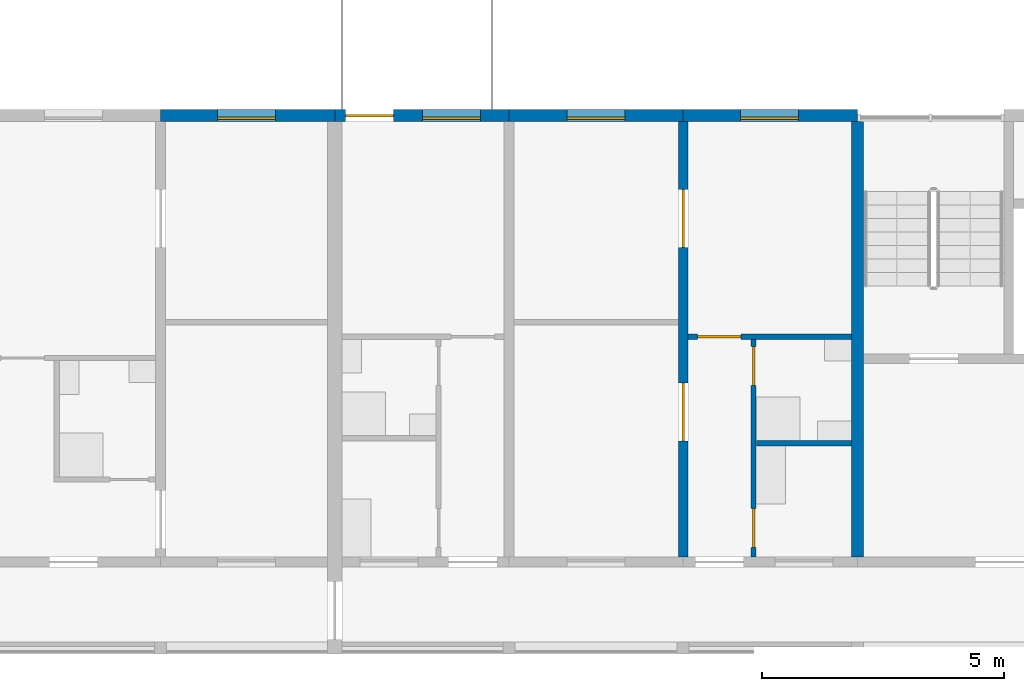
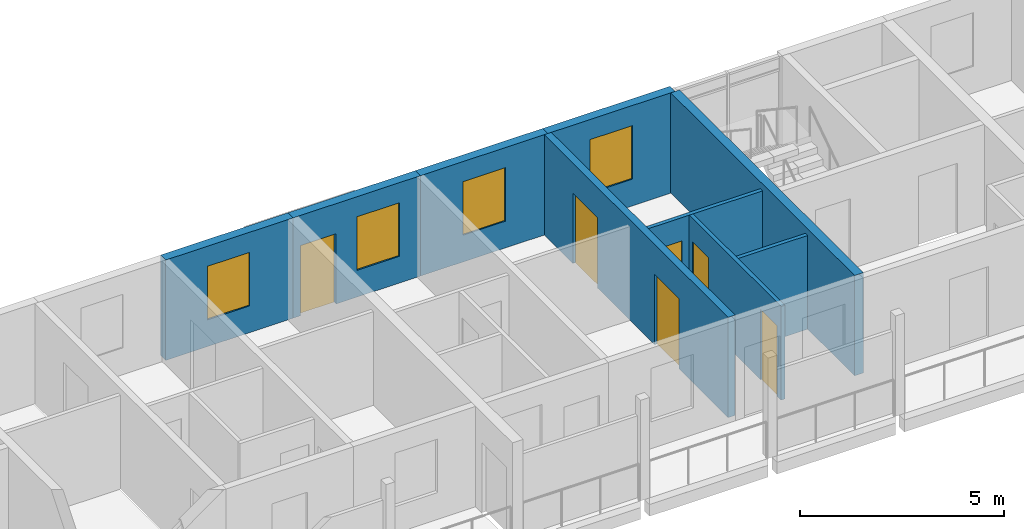
# One storey, part 33 of 94: 9 walls, 6 doors, 4 windows, 10 openings.
"""IFC4 building model written with IfcOpenShell, lengths in metres."""

import ifcopenshell
import ifcopenshell.guid

model = None  # the IFC model being written
_history = None  # IfcOwnerHistory: only IFC2X3 demands one
_inside = {}  # id of a spatial element -> (the spatial element, [elements in it])
_under = {}  # id of a project, library or spatial element -> (it, [spatial elements below it])
_declared = {}  # id of a project -> (the project, [libraries it declares])
_typed = {}  # id of a type object -> (the type object, [elements of that type])
_made_of = {}  # id of a material, layer set ... -> (it, [elements and type objects made of it])


def new_model(schema):
    """Start an empty IFC model of exactly this schema.

    Asked for "IFC4X3", IfcOpenShell would pick the latest addendum, in which some entities
    have other attributes; the version numbers below select the first issue.
    IFC2X3 requires an IfcOwnerHistory on every rooted entity: one is made here for all.
    """
    global model, _history
    if schema == "IFC4X3":
        model = ifcopenshell.file(schema_version=(4, 3, 0, 0))
    else:
        model = ifcopenshell.file(schema=schema)
    _inside.clear()
    _under.clear()
    _declared.clear()
    _typed.clear()
    _made_of.clear()
    _history = None
    if model.schema == "IFC2X3":
        org = make("IfcOrganization", Name="unknown")
        user = make(
            "IfcPersonAndOrganization",
            ThePerson=make("IfcPerson", FamilyName="unknown"),
            TheOrganization=org,
        )
        app = make(
            "IfcApplication",
            ApplicationDeveloper=org,
            Version="unknown",
            ApplicationFullName="unknown",
            ApplicationIdentifier="unknown",
        )
        _history = make(
            "IfcOwnerHistory",
            OwningUser=user,
            OwningApplication=app,
            ChangeAction="ADDED",
            CreationDate=0,
        )
    return model


def make(cls, **values):
    """One entity of the class cls with the attributes given. An attribute that is None is left unset."""
    return model.create_entity(
        cls, **{name: value for name, value in values.items() if value is not None}
    )


def rooted(cls, **values):
    """An entity with a GlobalId (a new one), such as an element, a storey or a relation."""
    return make(cls, GlobalId=ifcopenshell.guid.new(), OwnerHistory=_history, **values)


def si_unit(unit_type, name, prefix=None):
    """IfcSIUnit, for example si_unit("LENGTHUNIT", "METRE", prefix="MILLI")."""
    return make("IfcSIUnit", UnitType=unit_type, Prefix=prefix, Name=name)


def assignment(units):
    """IfcUnitAssignment: the units of a project."""
    return None if units is None else make("IfcUnitAssignment", Units=units)


def point(xyz):
    """IfcCartesianPoint."""
    return None if xyz is None else make("IfcCartesianPoint", Coordinates=xyz)


def direction(xyz):
    """IfcDirection."""
    return None if xyz is None else make("IfcDirection", DirectionRatios=xyz)


def frame(location, z_axis=None, x_axis=None):
    """IfcAxis2Placement3D, a coordinate frame: its origin and axes. An axis left out is left unset."""
    return make(
        "IfcAxis2Placement3D",
        Location=point(location),
        Axis=direction(z_axis),
        RefDirection=direction(x_axis),
    )


def frame_2d(location, x_axis=None):
    """IfcAxis2Placement2D, a coordinate frame in the plane: its origin and x axis."""
    return make(
        "IfcAxis2Placement2D", Location=point(location), RefDirection=direction(x_axis)
    )


def origin():
    """The frame at (0, 0, 0) with its axes left unset."""
    return frame((0.0, 0.0, 0.0))


def place(relative_to, where):
    """IfcLocalPlacement: puts the frame where relative to a parent placement (None: the world)."""
    return make(
        "IfcLocalPlacement", PlacementRelTo=relative_to, RelativePlacement=where
    )


def context(
    kind, dimensions, precision=None, world=None, true_north=None, identifier=None
):
    """IfcGeometricRepresentationContext, for example the 3D "Model" context."""
    return make(
        "IfcGeometricRepresentationContext",
        ContextIdentifier=identifier,
        ContextType=kind,
        CoordinateSpaceDimension=dimensions,
        Precision=precision,
        WorldCoordinateSystem=world,
        TrueNorth=true_north,
    )


def subcontext(parent, identifier, kind, view, scale=None):
    """IfcGeometricRepresentationSubContext, for example "Body" below "Model"."""
    return make(
        "IfcGeometricRepresentationSubContext",
        ContextIdentifier=identifier,
        ContextType=kind,
        ParentContext=parent,
        TargetScale=scale,
        TargetView=view,
    )


def project(units=None, contexts=None):
    """IfcProject with its units and contexts."""
    return rooted(
        "IfcProject",
        Name="project",
        RepresentationContexts=contexts,
        UnitsInContext=assignment(units),
    )


def spatial(cls, under=None, at=None, **own):
    """A site, building, storey or space (cls), placed at a placement, below another one or the project."""
    s = rooted(cls, ObjectPlacement=at, **own)
    if under is not None:
        _under.setdefault(under.id(), (under, []))[1].append(s)
    return s


def profile(cls, at=None, kind="AREA", **sizes):
    """A parametric profile (cls). Its sizes go by their IFC names, for example OverallWidth=200.0."""
    return make(cls, ProfileType=kind, Position=at, **sizes)


def rectangle(**sizes):
    """IfcRectangleProfileDef."""
    return profile("IfcRectangleProfileDef", **sizes)


def extrude(swept, where, along, depth):
    """IfcExtrudedAreaSolid: the profile swept, set in the frame where, extruded along a direction by depth."""
    return make(
        "IfcExtrudedAreaSolid",
        SweptArea=swept,
        Position=where,
        ExtrudedDirection=direction(along),
        Depth=depth,
    )


def shape(context_of_items, identifier, shape_type, items):
    """IfcShapeRepresentation: the items that make up one representation, for example the "Body"."""
    return make(
        "IfcShapeRepresentation",
        ContextOfItems=context_of_items,
        RepresentationIdentifier=identifier,
        RepresentationType=shape_type,
        Items=items,
    )


def material(Name=None, Category=None):
    """IfcMaterial."""
    return make("IfcMaterial", Name=Name, Category=Category)


def layer(
    of_material, thickness, ventilated=None, Name=None, Category=None, Priority=None
):
    """IfcMaterialLayer: one layer of a wall or slab, of a material (None: an air gap)."""
    return make(
        "IfcMaterialLayer",
        Material=of_material,
        LayerThickness=thickness,
        IsVentilated=ventilated,
        Name=Name,
        Category=Category,
        Priority=Priority,
    )


def layer_set(layers, Name=None):
    """IfcMaterialLayerSet."""
    return make("IfcMaterialLayerSet", MaterialLayers=layers, LayerSetName=Name)


def made_of(thing, what):
    """Note that an element or type object is made of a material, layer set ...; save() writes the relation."""
    if what is not None:
        _made_of.setdefault(what.id(), (what, []))[1].append(thing)
    return thing


def type_object(cls, material=None, **own):
    """A type object (cls), such as IfcWallType, which elements share."""
    return made_of(rooted(cls, **own), material)


def element(
    cls,
    number,
    at=None,
    inside=None,
    cuts=None,
    type_object=None,
    material=None,
    context=None,
    identifier="Body",
    shape_type=None,
    held_by="IfcProductDefinitionShape",
    body=None,
    shapes=None,
    **own,
):
    """One element of the class cls, such as IfcWall. Its Tag is "e" and its number.

    at: its placement. inside: the storey or other place that contains it. cuts: it is an
    opening in that element (IfcRelVoidsElement). A single representation is given by context,
    identifier, shape_type and body (its items); several are given by shapes. held_by: the class
    of the entity that holds the representations. save() writes the other relations.
    """
    e = rooted(cls, Tag="e%d" % number, ObjectPlacement=at, **own)
    if body is not None:
        shapes = [shape(context, identifier, shape_type, body)]
    if shapes is not None:
        e.Representation = make(held_by, Representations=shapes)
    if inside is not None:
        _inside.setdefault(inside.id(), (inside, []))[1].append(e)
    if cuts is not None:
        rooted(
            "IfcRelVoidsElement", RelatingBuildingElement=cuts, RelatedOpeningElement=e
        )
    if type_object is not None:
        _typed.setdefault(type_object.id(), (type_object, []))[1].append(e)
    return made_of(e, material)


def fill(opening, filler):
    """IfcRelFillsElement: the door or window that sits in an opening."""
    return rooted(
        "IfcRelFillsElement",
        RelatingOpeningElement=opening,
        RelatedBuildingElement=filler,
    )


def aggregate(whole, parts):
    """IfcRelAggregates: a whole, such as a stair, and the parts it consists of."""
    return rooted("IfcRelAggregates", RelatingObject=whole, RelatedObjects=parts)


def save(model, path):
    """Write the relations noted so far, then the file.

    IfcRelAggregates (storeys below a building ...), IfcRelContainedInSpatialStructure (elements
    in a storey), IfcRelDefinesByType, IfcRelAssociatesMaterial and IfcRelDeclares: one each for
    every whole, place, type object, material and project.
    """
    for whole, parts in _under.values():
        aggregate(whole, parts)
    for where, things in _inside.values():
        rooted(
            "IfcRelContainedInSpatialStructure",
            RelatedElements=things,
            RelatingStructure=where,
        )
    for kind, things in _typed.values():
        rooted("IfcRelDefinesByType", RelatedObjects=things, RelatingType=kind)
    for what, things in _made_of.values():
        rooted("IfcRelAssociatesMaterial", RelatedObjects=things, RelatingMaterial=what)
    for by, libraries in _declared.values():
        rooted("IfcRelDeclares", RelatingContext=by, RelatedDefinitions=libraries)
    model.write(path)


model = new_model("IFC4")

# Units and contexts
model_context = context("Model", 3, precision=1e-05, world=origin(), true_north=direction((0.0, 1.0)))
body_context = subcontext(model_context, "Body", "Model", "MODEL_VIEW")
ifc_project = project(units=[si_unit("LENGTHUNIT", "METRE"), si_unit("AREAUNIT", "SQUARE_METRE"), si_unit("VOLUMEUNIT", "CUBIC_METRE"), si_unit("PLANEANGLEUNIT", "RADIAN"), si_unit("MASSUNIT", "GRAM", prefix="KILO")], contexts=[model_context])

# Site, building, storey
site_placement = place(None, origin())
site = spatial("IfcSite", under=ifc_project, at=site_placement, CompositionType="ELEMENT")
building_placement = place(site_placement, origin())
building = spatial("IfcBuilding", under=site, at=building_placement, Name="Ridgestep Commons", CompositionType="ELEMENT")
storey_placement = place(building_placement, frame((0.0, 0.0, 21.0)))
storey = spatial("IfcBuildingStorey", under=building, at=storey_placement, Name="L07", CompositionType="ELEMENT", Elevation=21.0)

# Wall
ifc_material_1 = material(Name="Concrete C30/37", Category="concrete")
ifc_layer_1 = layer(ifc_material_1, 0.25)
ifc_layer_set_1 = layer_set([ifc_layer_1], Name="Core cross wall 250")
wall_type_1 = type_object("IfcWallType", Name="Core cross wall 250", PredefinedType="SHEAR", material=ifc_layer_set_1)
wall_1_placement = place(storey_placement, frame((73.199951171875, 13.75, 0.0), z_axis=(0.0, 0.0, 1.0), x_axis=(0.0, 1.0, 0.0)))
element("IfcWall", 1, at=wall_1_placement, inside=storey, type_object=wall_type_1, Name="Cross wall A-07-0732", PredefinedType="SHEAR", context=body_context, shape_type="SweptSolid", body=[
    extrude(rectangle(XDim=9.0, YDim=0.25, at=frame_2d((4.5, 0.0))), origin(), (0.0, 0.0, 1.0), 3.0),
])

# Wall, openings, doors
ifc_material_2 = material(Name="Precast concrete C40/50", Category="concrete")
ifc_layer_2 = layer(ifc_material_2, 0.199951171875)
ifc_layer_set_2 = layer_set([ifc_layer_2], Name="Cross wall 200")
wall_type_2 = type_object("IfcWallType", Name="Cross wall 200", PredefinedType="SHEAR", material=ifc_layer_set_2)
wall_2_placement = place(storey_placement, frame((69.60009765625, 13.75, 0.0), z_axis=(0.0, 0.0, 1.0), x_axis=(0.0, 1.0, 0.0)))
wall_2 = element("IfcWall", 2, at=wall_2_placement, inside=storey, type_object=wall_type_2, Name="Cross wall A-07-0696", PredefinedType="SHEAR", context=body_context, shape_type="SweptSolid", body=[
    extrude(rectangle(XDim=9.0, YDim=0.199951171875, at=frame_2d((4.5, 0.0))), origin(), (0.0, 0.0, 1.0), 3.0),
])
opening_1_placement = place(wall_2_placement, frame((2.39990234375, 0.0, 0.0)))
opening_1 = element("IfcOpeningElement", 3, at=opening_1_placement, cuts=wall_2, Name="Opening A4-07b/5", PredefinedType="OPENING", context=body_context, shape_type="SweptSolid", body=[
    extrude(rectangle(XDim=1.199951171875, YDim=2.10009765625, at=frame_2d((0.60009765625, 1.050048828125))), frame((0.0, 0.10986328125, 0.0), z_axis=(0.0, -1.0, 0.0), x_axis=(1.0, 0.0, 0.0)), (0.0, 0.0, 1.0), 0.219970703125),
])
opening_2_placement = place(wall_2_placement, frame((6.39990234375, 0.0, 0.0)))
opening_2 = element("IfcOpeningElement", 4, at=opening_2_placement, cuts=wall_2, Name="Opening A4-07b/6", PredefinedType="OPENING", context=body_context, shape_type="SweptSolid", body=[
    extrude(rectangle(XDim=1.199951171875, YDim=2.10009765625, at=frame_2d((0.60009765625, 1.050048828125))), frame((0.0, 0.10986328125, 0.0), z_axis=(0.0, -1.0, 0.0), x_axis=(1.0, 0.0, 0.0)), (0.0, 0.0, 1.0), 0.219970703125),
])
ifc_material_3 = material(Name="Timber door leaf", Category="wood")
door_type_1 = type_object("IfcDoorType", Name="Double door 1200 x 2100", OperationType="DOUBLE_DOOR_SINGLE_SWING", PredefinedType="DOOR", material=ifc_material_3)
door_1_placement = place(opening_1_placement, origin())
door_1 = element("IfcDoor", 5, at=door_1_placement, inside=storey, type_object=door_type_1, Name="Double door A4-07b/5", OperationType="DOUBLE_DOOR_SINGLE_SWING", OverallHeight=2.10009765625, OverallWidth=1.199951171875, PredefinedType="DOOR", context=body_context, shape_type="SweptSolid", body=[
    extrude(rectangle(XDim=1.199951171875, YDim=2.10009765625, at=frame_2d((0.60009765625, 1.050048828125))), frame((0.0, 0.02490234375, 0.0), z_axis=(0.0, -1.0, 0.0), x_axis=(1.0, 0.0, 0.0)), (0.0, 0.0, 1.0), 0.050048828125),
])
fill(opening_1, door_1)
door_2_placement = place(opening_2_placement, origin())
door_2 = element("IfcDoor", 6, at=door_2_placement, inside=storey, type_object=door_type_1, Name="Double door A4-07b/6", OperationType="DOUBLE_DOOR_SINGLE_SWING", OverallHeight=2.10009765625, OverallWidth=1.199951171875, PredefinedType="DOOR", context=body_context, shape_type="SweptSolid", body=[
    extrude(rectangle(XDim=1.199951171875, YDim=2.10009765625, at=frame_2d((0.60009765625, 1.050048828125))), frame((0.0, 0.02490234375, 0.0), z_axis=(0.0, -1.0, 0.0), x_axis=(1.0, 0.0, 0.0)), (0.0, 0.0, 1.0), 0.050048828125),
])
fill(opening_2, door_2)

# Wall, opening, window
ifc_material_4 = material(Name="Precast concrete C40/50", Category="concrete")
ifc_layer_3 = layer(ifc_material_4, 0.25)
ifc_layer_set_3 = layer_set([ifc_layer_3], Name="North facade panel 250")
wall_type_3 = type_object("IfcWallType", Name="North facade panel 250", PredefinedType="SOLIDWALL", material=ifc_layer_set_3)
wall_3_placement = place(storey_placement, frame((58.800048828125, 22.875, 0.0), z_axis=(0.0, 0.0, 1.0), x_axis=(1.0, 0.0, 0.0)))
wall_3 = element("IfcWall", 7, at=wall_3_placement, inside=storey, type_object=wall_type_3, Name="North panel A3T1 L07", PredefinedType="SOLIDWALL", context=body_context, shape_type="SweptSolid", body=[
    extrude(rectangle(XDim=3.599853515625, YDim=0.25, at=frame_2d((1.7998046875, 0.0))), origin(), (0.0, 0.0, 1.0), 3.0),
])
opening_3_placement = place(wall_3_placement, frame((1.175048828125, 0.0, 0.800048828125)))
opening_3 = element("IfcOpeningElement", 8, at=opening_3_placement, cuts=wall_3, Name="Opening W11", PredefinedType="OPENING", context=body_context, shape_type="SweptSolid", body=[
    extrude(rectangle(XDim=1.199951171875, YDim=1.60009765625, at=frame_2d((0.60009765625, 0.800048828125))), frame((0.0, 0.135009765625, 0.0), z_axis=(0.0, -1.0, 0.0), x_axis=(1.0, 0.0, 0.0)), (0.0, 0.0, 1.0), 0.27001953125),
])
ifc_material_5 = material(Name="Aluminium 6063-T6 and glass", Category="aluminium")
window_type = type_object("IfcWindowType", Name="Flat window 1200 x 1600", PartitioningType="SINGLE_PANEL", PredefinedType="WINDOW", material=ifc_material_5)
window_1_placement = place(opening_3_placement, origin())
window_1 = element("IfcWindow", 9, at=window_1_placement, inside=storey, type_object=window_type, Name="Window A3-07a 4", OverallHeight=1.60009765625, OverallWidth=1.199951171875, PartitioningType="SINGLE_PANEL", PredefinedType="WINDOW", context=body_context, shape_type="SweptSolid", body=[
    extrude(rectangle(XDim=1.199951171875, YDim=1.60009765625, at=frame_2d((0.60009765625, 0.800048828125))), frame((0.0, -0.02490234375, 0.0), z_axis=(0.0, -1.0, 0.0), x_axis=(1.0, 0.0, 0.0)), (0.0, 0.0, 1.0), 0.06005859375),
])
fill(opening_3, window_1)

# Wall, openings, door, window
wall_4_placement = place(storey_placement, frame((62.39990234375, 22.875, 0.0), z_axis=(0.0, 0.0, 1.0), x_axis=(1.0, 0.0, 0.0)))
wall_4 = element("IfcWall", 10, at=wall_4_placement, inside=storey, type_object=wall_type_3, Name="North panel A4T1 L07", PredefinedType="SOLIDWALL", context=body_context, shape_type="SweptSolid", body=[
    extrude(rectangle(XDim=3.60009765625, YDim=0.25, at=frame_2d((1.800048828125, 0.0))), origin(), (0.0, 0.0, 1.0), 3.0),
])
opening_4_placement = place(wall_4_placement, frame((1.80859375, 0.0, 0.800048828125)))
opening_4 = element("IfcOpeningElement", 11, at=opening_4_placement, cuts=wall_4, Name="Opening W11", PredefinedType="OPENING", context=body_context, shape_type="SweptSolid", body=[
    extrude(rectangle(XDim=1.199951171875, YDim=1.60009765625, at=frame_2d((0.60009765625, 0.800048828125))), frame((0.0, 0.135009765625, 0.0), z_axis=(0.0, -1.0, 0.0), x_axis=(1.0, 0.0, 0.0)), (0.0, 0.0, 1.0), 0.27001953125),
])
opening_5_placement = place(wall_4_placement, frame((0.217041015625, 0.0, 0.0)))
opening_5 = element("IfcOpeningElement", 12, at=opening_5_placement, cuts=wall_4, Name="Opening A4-07a/5", PredefinedType="OPENING", context=body_context, shape_type="SweptSolid", body=[
    extrude(rectangle(XDim=1.0, YDim=2.10009765625, at=frame_2d((0.5, 1.050048828125))), frame((0.0, 0.135009765625, 0.0), z_axis=(0.0, -1.0, 0.0), x_axis=(1.0, 0.0, 0.0)), (0.0, 0.0, 1.0), 0.27001953125),
])
ifc_material_6 = material(Name="Aluminium and glass", Category="aluminium")
door_type_2 = type_object("IfcDoorType", Name="Balcony door 1000 x 2100", OperationType="NOTDEFINED", PredefinedType="DOOR", material=ifc_material_6)
door_3_placement = place(opening_5_placement, origin())
door_3 = element("IfcDoor", 13, at=door_3_placement, inside=storey, type_object=door_type_2, Name="Balcony door A4-07a/5", OperationType="SINGLE_SWING_RIGHT", OverallHeight=2.10009765625, OverallWidth=1.0, PredefinedType="DOOR", context=body_context, shape_type="SweptSolid", body=[
    extrude(rectangle(XDim=1.0, YDim=2.10009765625, at=frame_2d((0.5, 1.050048828125))), frame((0.0, 0.02490234375, 0.0), z_axis=(0.0, -1.0, 0.0), x_axis=(1.0, 0.0, 0.0)), (0.0, 0.0, 1.0), 0.050048828125),
])
fill(opening_5, door_3)
window_2_placement = place(opening_4_placement, origin())
window_2 = element("IfcWindow", 14, at=window_2_placement, inside=storey, type_object=window_type, Name="Window A4-07a 2", OverallHeight=1.60009765625, OverallWidth=1.199951171875, PartitioningType="SINGLE_PANEL", PredefinedType="WINDOW", context=body_context, shape_type="SweptSolid", body=[
    extrude(rectangle(XDim=1.199951171875, YDim=1.60009765625, at=frame_2d((0.60009765625, 0.800048828125))), frame((0.0, -0.02490234375, 0.0), z_axis=(0.0, -1.0, 0.0), x_axis=(1.0, 0.0, 0.0)), (0.0, 0.0, 1.0), 0.06005859375),
])
fill(opening_4, window_2)

# Wall, opening, window
wall_5_placement = place(storey_placement, frame((66.0, 22.875, 0.0), z_axis=(0.0, 0.0, 1.0), x_axis=(1.0, 0.0, 0.0)))
wall_5 = element("IfcWall", 15, at=wall_5_placement, inside=storey, type_object=wall_type_3, Name="North panel A4T2 L07", PredefinedType="SOLIDWALL", context=body_context, shape_type="SweptSolid", body=[
    extrude(rectangle(XDim=3.60009765625, YDim=0.25, at=frame_2d((1.800048828125, 0.0))), origin(), (0.0, 0.0, 1.0), 3.0),
])
opening_6_placement = place(wall_5_placement, frame((1.199951171875, 0.0, 0.800048828125)))
opening_6 = element("IfcOpeningElement", 16, at=opening_6_placement, cuts=wall_5, Name="Opening W11", PredefinedType="OPENING", context=body_context, shape_type="SweptSolid", body=[
    extrude(rectangle(XDim=1.199951171875, YDim=1.60009765625, at=frame_2d((0.60009765625, 0.800048828125))), frame((0.0, 0.135009765625, 0.0), z_axis=(0.0, -1.0, 0.0), x_axis=(1.0, 0.0, 0.0)), (0.0, 0.0, 1.0), 0.27001953125),
])
window_3_placement = place(opening_6_placement, origin())
window_3 = element("IfcWindow", 17, at=window_3_placement, inside=storey, type_object=window_type, Name="Window A4-07b 2", OverallHeight=1.60009765625, OverallWidth=1.199951171875, PartitioningType="SINGLE_PANEL", PredefinedType="WINDOW", context=body_context, shape_type="SweptSolid", body=[
    extrude(rectangle(XDim=1.199951171875, YDim=1.60009765625, at=frame_2d((0.60009765625, 0.800048828125))), frame((0.0, -0.02490234375, 0.0), z_axis=(0.0, -1.0, 0.0), x_axis=(1.0, 0.0, 0.0)), (0.0, 0.0, 1.0), 0.06005859375),
])
fill(opening_6, window_3)

wall_6_placement = place(storey_placement, frame((69.60009765625, 22.875, 0.0), z_axis=(0.0, 0.0, 1.0), x_axis=(1.0, 0.0, 0.0)))
wall_6 = element("IfcWall", 18, at=wall_6_placement, inside=storey, type_object=wall_type_3, Name="North panel A4T3 L07", PredefinedType="SOLIDWALL", context=body_context, shape_type="SweptSolid", body=[
    extrude(rectangle(XDim=3.599853515625, YDim=0.25, at=frame_2d((1.7998046875, 0.0))), origin(), (0.0, 0.0, 1.0), 3.0),
])
opening_7_placement = place(wall_6_placement, frame((1.1875, 0.0, 0.800048828125)))
opening_7 = element("IfcOpeningElement", 19, at=opening_7_placement, cuts=wall_6, Name="Opening W11", PredefinedType="OPENING", context=body_context, shape_type="SweptSolid", body=[
    extrude(rectangle(XDim=1.199951171875, YDim=1.60009765625, at=frame_2d((0.60009765625, 0.800048828125))), frame((0.0, 0.135009765625, 0.0), z_axis=(0.0, -1.0, 0.0), x_axis=(1.0, 0.0, 0.0)), (0.0, 0.0, 1.0), 0.27001953125),
])
window_4_placement = place(opening_7_placement, origin())
window_4 = element("IfcWindow", 20, at=window_4_placement, inside=storey, type_object=window_type, Name="Window A4-07b 4", OverallHeight=1.60009765625, OverallWidth=1.199951171875, PartitioningType="SINGLE_PANEL", PredefinedType="WINDOW", context=body_context, shape_type="SweptSolid", body=[
    extrude(rectangle(XDim=1.199951171875, YDim=1.60009765625, at=frame_2d((0.60009765625, 0.800048828125))), frame((0.0, -0.02490234375, 0.0), z_axis=(0.0, -1.0, 0.0), x_axis=(1.0, 0.0, 0.0)), (0.0, 0.0, 1.0), 0.06005859375),
])
fill(opening_7, window_4)

# Wall, openings, doors
ifc_material_7 = material(Name="Common brick 110 mm", Category="masonry")
ifc_layer_4 = layer(ifc_material_7, 0.110107421875)
ifc_layer_set_4 = layer_set([ifc_layer_4], Name="Partition 110")
wall_type_4 = type_object("IfcWallType", Name="Partition 110", PredefinedType="PARTITIONING", material=ifc_layer_set_4)
wall_7_placement = place(storey_placement, frame((71.054931640625, 13.75, 0.0), z_axis=(0.0, 0.0, 1.0), x_axis=(0.0, 1.0, 0.0)))
wall_7 = element("IfcWall", 21, at=wall_7_placement, inside=storey, type_object=wall_type_4, Name="Partition A4-07b", PredefinedType="PARTITIONING", context=body_context, shape_type="SweptSolid", body=[
    extrude(rectangle(XDim=4.5, YDim=0.110107421875, at=frame_2d((2.25, 0.0))), origin(), (0.0, 0.0, 1.0), 2.800048828125),
])
opening_8_placement = place(wall_7_placement, frame((0.199951171875, 0.0, 0.0)))
opening_8 = element("IfcOpeningElement", 22, at=opening_8_placement, cuts=wall_7, Name="Opening A4-07b/2", PredefinedType="OPENING", context=body_context, shape_type="SweptSolid", body=[
    extrude(rectangle(XDim=0.800048828125, YDim=2.10009765625, at=frame_2d((0.39990234375, 1.050048828125))), frame((0.0, 0.06494140625, 0.0), z_axis=(0.0, -1.0, 0.0), x_axis=(1.0, 0.0, 0.0)), (0.0, 0.0, 1.0), 0.130126953125),
])
opening_9_placement = place(wall_7_placement, frame((3.550048828125, 0.0, 0.0)))
opening_9 = element("IfcOpeningElement", 23, at=opening_9_placement, cuts=wall_7, Name="Opening A4-07b/3", PredefinedType="OPENING", context=body_context, shape_type="SweptSolid", body=[
    extrude(rectangle(XDim=0.800048828125, YDim=2.10009765625, at=frame_2d((0.39990234375, 1.050048828125))), frame((0.0, 0.06494140625, 0.0), z_axis=(0.0, -1.0, 0.0), x_axis=(1.0, 0.0, 0.0)), (0.0, 0.0, 1.0), 0.130126953125),
])
ifc_material_8 = material(Name="Timber door leaf", Category="wood")
door_type_3 = type_object("IfcDoorType", Name="Internal door 800 x 2100", OperationType="NOTDEFINED", PredefinedType="DOOR", material=ifc_material_8)
door_4_placement = place(opening_8_placement, origin())
door_4 = element("IfcDoor", 24, at=door_4_placement, inside=storey, type_object=door_type_3, Name="Internal door A4-07b/2", OperationType="SINGLE_SWING_RIGHT", OverallHeight=2.10009765625, OverallWidth=0.800048828125, PredefinedType="DOOR", context=body_context, shape_type="SweptSolid", body=[
    extrude(rectangle(XDim=0.800048828125, YDim=2.10009765625, at=frame_2d((0.39990234375, 1.050048828125))), frame((0.0, 0.02490234375, 0.0), z_axis=(0.0, -1.0, 0.0), x_axis=(1.0, 0.0, 0.0)), (0.0, 0.0, 1.0), 0.050048828125),
])
fill(opening_8, door_4)
door_5_placement = place(opening_9_placement, origin())
door_5 = element("IfcDoor", 25, at=door_5_placement, inside=storey, type_object=door_type_3, Name="Internal door A4-07b/3", OperationType="SINGLE_SWING_LEFT", OverallHeight=2.10009765625, OverallWidth=0.800048828125, PredefinedType="DOOR", context=body_context, shape_type="SweptSolid", body=[
    extrude(rectangle(XDim=0.800048828125, YDim=2.10009765625, at=frame_2d((0.39990234375, 1.050048828125))), frame((0.0, 0.02490234375, 0.0), z_axis=(0.0, -1.0, 0.0), x_axis=(1.0, 0.0, 0.0)), (0.0, 0.0, 1.0), 0.050048828125),
])
fill(opening_9, door_5)

# Wall
wall_8_placement = place(storey_placement, frame((71.110107421875, 16.10498046875, 0.0), z_axis=(0.0, 0.0, 1.0), x_axis=(1.0, 0.0, 0.0)))
element("IfcWall", 26, at=wall_8_placement, inside=storey, type_object=wall_type_4, Name="Partition A4-07b", PredefinedType="PARTITIONING", context=body_context, shape_type="SweptSolid", body=[
    extrude(rectangle(XDim=1.96484375, YDim=0.110107421875, at=frame_2d((0.982421875, 0.0))), origin(), (0.0, 0.0, 1.0), 2.800048828125),
])

# Wall, opening, door
wall_9_placement = place(storey_placement, frame((69.699951171875, 18.304931640625, 0.0), z_axis=(0.0, 0.0, 1.0), x_axis=(1.0, 0.0, 0.0)))
wall_9 = element("IfcWall", 27, at=wall_9_placement, inside=storey, type_object=wall_type_4, Name="Partition A4-07b", PredefinedType="PARTITIONING", context=body_context, shape_type="SweptSolid", body=[
    extrude(rectangle(XDim=3.375, YDim=0.110107421875, at=frame_2d((1.6875, 0.0))), origin(), (0.0, 0.0, 1.0), 2.800048828125),
])
opening_10_placement = place(wall_9_placement, frame((0.199951171875, 0.0, 0.0)))
opening_10 = element("IfcOpeningElement", 28, at=opening_10_placement, cuts=wall_9, Name="Opening A4-07b/4", PredefinedType="OPENING", context=body_context, shape_type="SweptSolid", body=[
    extrude(rectangle(XDim=0.89990234375, YDim=2.10009765625, at=frame_2d((0.449951171875, 1.050048828125))), frame((0.0, 0.06494140625, 0.0), z_axis=(0.0, -1.0, 0.0), x_axis=(1.0, 0.0, 0.0)), (0.0, 0.0, 1.0), 0.130126953125),
])
ifc_material_9 = material(Name="Timber door leaf", Category="wood")
door_type_4 = type_object("IfcDoorType", Name="Internal door 900 x 2100", OperationType="NOTDEFINED", PredefinedType="DOOR", material=ifc_material_9)
door_6_placement = place(opening_10_placement, origin())
door_6 = element("IfcDoor", 29, at=door_6_placement, inside=storey, type_object=door_type_4, Name="Internal door A4-07b/4", OperationType="SINGLE_SWING_LEFT", OverallHeight=2.10009765625, OverallWidth=0.89990234375, PredefinedType="DOOR", context=body_context, shape_type="SweptSolid", body=[
    extrude(rectangle(XDim=0.89990234375, YDim=2.10009765625, at=frame_2d((0.449951171875, 1.050048828125))), frame((0.0, 0.02490234375, 0.0), z_axis=(0.0, -1.0, 0.0), x_axis=(1.0, 0.0, 0.0)), (0.0, 0.0, 1.0), 0.050048828125),
])
fill(opening_10, door_6)

save(model, "model.ifc")
